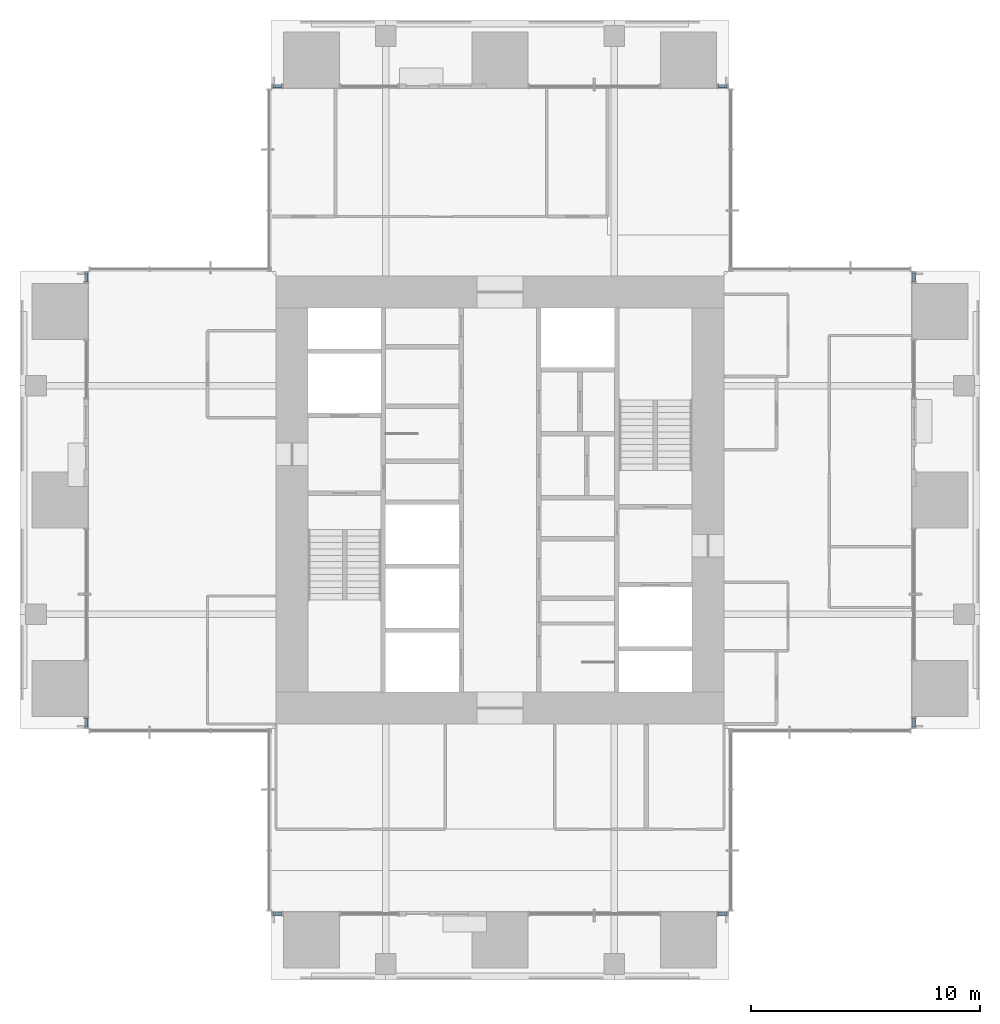
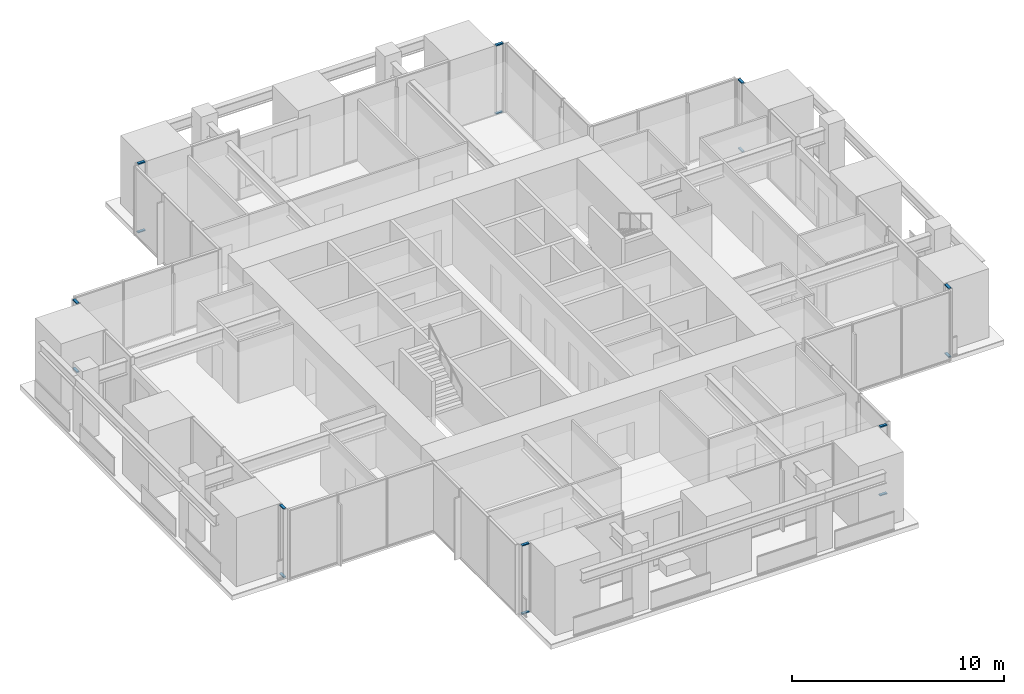
# One storey, part 6 of 17: 16 members, 8 elements without a shape of their own.
"""IFC4 building model written with IfcOpenShell, lengths in metres."""

from ifc_helpers import new_model, si_unit, direction, frame, origin, origin_2d, place, context, subcontext, project, spatial, rectangle, extrude, material, material_profile, profile_set, type_object, element, aggregate, save


model = new_model("IFC4")

# Units and contexts
model_context = context("Model", 3, precision=1e-05, world=origin(), true_north=direction((0.0, 1.0)))
body_context = subcontext(model_context, "Body", "Model", "MODEL_VIEW")
ifc_project = project(units=[si_unit("LENGTHUNIT", "METRE"), si_unit("AREAUNIT", "SQUARE_METRE"), si_unit("VOLUMEUNIT", "CUBIC_METRE"), si_unit("PLANEANGLEUNIT", "RADIAN"), si_unit("MASSUNIT", "GRAM", prefix="KILO")], contexts=[model_context])

# Site, building, storey
site_placement = place(None, origin())
site = spatial("IfcSite", under=ifc_project, at=site_placement, CompositionType="ELEMENT")
building_placement = place(site_placement, origin())
building = spatial("IfcBuilding", under=site, at=building_placement, Name="Svetlomir Tower", CompositionType="ELEMENT")
storey_placement = place(building_placement, frame((0.0, 0.0, 230.5)))
storey = spatial("IfcBuildingStorey", under=building, at=storey_placement, Name="L55", CompositionType="ELEMENT", Elevation=230.5)

# Curtain wall, members
ifc_material_1 = material(Name="Bronze anodised aluminium curtain wall", Category="aluminium")
curtain_wall_type = type_object("IfcCurtainWallType", Name="CURTAIN WALL CW1 TOWER OFFICE", PredefinedType="NOTDEFINED", material=ifc_material_1)
curtain_wall_1_placement = place(storey_placement, origin())
curtain_wall_1 = element("IfcCurtainWall", 1, at=curtain_wall_1_placement, inside=storey, type_object=curtain_wall_type, Name="Curtain wall CW1 L55", PredefinedType="NOTDEFINED")
ifc_material_2 = material(Name="Bronze anodised aluminium", Category="aluminium")
ifc_material_profile = material_profile(ifc_material_2, rectangle(XDim=0.139892578125, YDim=0.06494140625, at=origin_2d()), Name="AL 140x65")
ifc_profile_set = profile_set([ifc_material_profile], Name="Bronze anodised aluminium 6063-T6")
member_type = type_object("IfcMemberType", Name="CW1 TRANSOM 65x140", PredefinedType="USERDEFINED", material=ifc_profile_set)
member_1_placement = place(storey_placement, frame((11.06494140625, 2.89990234375, 0.032470703125), z_axis=(1.0, 0.0, 0.0), x_axis=(0.0, 1.0, 0.0)))
member_1 = element("IfcMember", 2, at=member_1_placement, type_object=member_type, Name="CW1 transom 1.1", ObjectType="TRANSOM", PredefinedType="USERDEFINED", context=body_context, shape_type="SweptSolid", body=[
    extrude(rectangle(XDim=0.139892578125, YDim=0.06494140625, at=origin_2d()), origin(), (0.0, 0.0, 1.0), 0.39501953125),
])
member_2_placement = place(storey_placement, frame((11.06494140625, 2.89990234375, 3.967529296875), z_axis=(1.0, 0.0, 0.0), x_axis=(0.0, 1.0, 0.0)))
member_2 = element("IfcMember", 3, at=member_2_placement, type_object=member_type, Name="CW1 transom 1.2", ObjectType="TRANSOM", PredefinedType="USERDEFINED", context=body_context, shape_type="SweptSolid", body=[
    extrude(rectangle(XDim=0.139892578125, YDim=0.06494140625, at=origin_2d()), origin(), (0.0, 0.0, 1.0), 0.39501953125),
])
aggregate(curtain_wall_1, [member_1, member_2])

curtain_wall_2_placement = place(storey_placement, origin())
curtain_wall_2 = element("IfcCurtainWall", 4, at=curtain_wall_2_placement, inside=storey, type_object=curtain_wall_type, Name="Curtain wall CW1 L55", PredefinedType="NOTDEFINED")
member_3_placement = place(storey_placement, frame((30.5400390625, 2.89990234375, 0.032470703125), z_axis=(1.0, 0.0, 0.0), x_axis=(0.0, 1.0, 0.0)))
member_3 = element("IfcMember", 5, at=member_3_placement, type_object=member_type, Name="CW1 transom 1.1", ObjectType="TRANSOM", PredefinedType="USERDEFINED", context=body_context, shape_type="SweptSolid", body=[
    extrude(rectangle(XDim=0.139892578125, YDim=0.06494140625, at=origin_2d()), origin(), (0.0, 0.0, 1.0), 0.39501953125),
])
member_4_placement = place(storey_placement, frame((30.5400390625, 2.89990234375, 3.967529296875), z_axis=(1.0, 0.0, 0.0), x_axis=(0.0, 1.0, 0.0)))
member_4 = element("IfcMember", 6, at=member_4_placement, type_object=member_type, Name="CW1 transom 1.2", ObjectType="TRANSOM", PredefinedType="USERDEFINED", context=body_context, shape_type="SweptSolid", body=[
    extrude(rectangle(XDim=0.139892578125, YDim=0.06494140625, at=origin_2d()), origin(), (0.0, 0.0, 1.0), 0.39501953125),
])
aggregate(curtain_wall_2, [member_3, member_4])

curtain_wall_3_placement = place(storey_placement, origin())
curtain_wall_3 = element("IfcCurtainWall", 7, at=curtain_wall_3_placement, inside=storey, type_object=curtain_wall_type, Name="Curtain wall CW1 L55", PredefinedType="NOTDEFINED")
member_5_placement = place(storey_placement, frame((39.10009765625, 11.06494140625, 0.032470703125), z_axis=(0.0, 1.0, 0.0), x_axis=(-1.0, 0.0, 0.0)))
member_5 = element("IfcMember", 8, at=member_5_placement, type_object=member_type, Name="CW1 transom 1.1", ObjectType="TRANSOM", PredefinedType="USERDEFINED", context=body_context, shape_type="SweptSolid", body=[
    extrude(rectangle(XDim=0.139892578125, YDim=0.06494140625, at=origin_2d()), origin(), (0.0, 0.0, 1.0), 0.39501953125),
])
member_6_placement = place(storey_placement, frame((39.10009765625, 11.06494140625, 3.967529296875), z_axis=(0.0, 1.0, 0.0), x_axis=(-1.0, 0.0, 0.0)))
member_6 = element("IfcMember", 9, at=member_6_placement, type_object=member_type, Name="CW1 transom 1.2", ObjectType="TRANSOM", PredefinedType="USERDEFINED", context=body_context, shape_type="SweptSolid", body=[
    extrude(rectangle(XDim=0.139892578125, YDim=0.06494140625, at=origin_2d()), origin(), (0.0, 0.0, 1.0), 0.39501953125),
])
aggregate(curtain_wall_3, [member_5, member_6])

curtain_wall_4_placement = place(storey_placement, origin())
curtain_wall_4 = element("IfcCurtainWall", 10, at=curtain_wall_4_placement, inside=storey, type_object=curtain_wall_type, Name="Curtain wall CW1 L55", PredefinedType="NOTDEFINED")
member_7_placement = place(storey_placement, frame((39.10009765625, 30.5400390625, 0.032470703125), z_axis=(0.0, 1.0, 0.0), x_axis=(-1.0, 0.0, 0.0)))
member_7 = element("IfcMember", 11, at=member_7_placement, type_object=member_type, Name="CW1 transom 1.1", ObjectType="TRANSOM", PredefinedType="USERDEFINED", context=body_context, shape_type="SweptSolid", body=[
    extrude(rectangle(XDim=0.139892578125, YDim=0.06494140625, at=origin_2d()), origin(), (0.0, 0.0, 1.0), 0.39501953125),
])
member_8_placement = place(storey_placement, frame((39.10009765625, 30.5400390625, 3.967529296875), z_axis=(0.0, 1.0, 0.0), x_axis=(-1.0, 0.0, 0.0)))
member_8 = element("IfcMember", 12, at=member_8_placement, type_object=member_type, Name="CW1 transom 1.2", ObjectType="TRANSOM", PredefinedType="USERDEFINED", context=body_context, shape_type="SweptSolid", body=[
    extrude(rectangle(XDim=0.139892578125, YDim=0.06494140625, at=origin_2d()), origin(), (0.0, 0.0, 1.0), 0.39501953125),
])
aggregate(curtain_wall_4, [member_7, member_8])

curtain_wall_5_placement = place(storey_placement, origin())
curtain_wall_5 = element("IfcCurtainWall", 13, at=curtain_wall_5_placement, inside=storey, type_object=curtain_wall_type, Name="Curtain wall CW1 L55", PredefinedType="NOTDEFINED")
member_9_placement = place(storey_placement, frame((30.93505859375, 39.10009765625, 0.032470703125), z_axis=(-1.0, 0.0, 0.0), x_axis=(0.0, -1.0, 0.0)))
member_9 = element("IfcMember", 14, at=member_9_placement, type_object=member_type, Name="CW1 transom 1.1", ObjectType="TRANSOM", PredefinedType="USERDEFINED", context=body_context, shape_type="SweptSolid", body=[
    extrude(rectangle(XDim=0.139892578125, YDim=0.06494140625, at=origin_2d()), origin(), (0.0, 0.0, 1.0), 0.39501953125),
])
member_10_placement = place(storey_placement, frame((30.93505859375, 39.10009765625, 3.967529296875), z_axis=(-1.0, 0.0, 0.0), x_axis=(0.0, -1.0, 0.0)))
member_10 = element("IfcMember", 15, at=member_10_placement, type_object=member_type, Name="CW1 transom 1.2", ObjectType="TRANSOM", PredefinedType="USERDEFINED", context=body_context, shape_type="SweptSolid", body=[
    extrude(rectangle(XDim=0.139892578125, YDim=0.06494140625, at=origin_2d()), origin(), (0.0, 0.0, 1.0), 0.39501953125),
])
aggregate(curtain_wall_5, [member_9, member_10])

curtain_wall_6_placement = place(storey_placement, origin())
curtain_wall_6 = element("IfcCurtainWall", 16, at=curtain_wall_6_placement, inside=storey, type_object=curtain_wall_type, Name="Curtain wall CW1 L55", PredefinedType="NOTDEFINED")
member_11_placement = place(storey_placement, frame((11.4599609375, 39.10009765625, 0.032470703125), z_axis=(-1.0, 0.0, 0.0), x_axis=(0.0, -1.0, 0.0)))
member_11 = element("IfcMember", 17, at=member_11_placement, type_object=member_type, Name="CW1 transom 1.1", ObjectType="TRANSOM", PredefinedType="USERDEFINED", context=body_context, shape_type="SweptSolid", body=[
    extrude(rectangle(XDim=0.139892578125, YDim=0.06494140625, at=origin_2d()), origin(), (0.0, 0.0, 1.0), 0.39501953125),
])
member_12_placement = place(storey_placement, frame((11.4599609375, 39.10009765625, 3.967529296875), z_axis=(-1.0, 0.0, 0.0), x_axis=(0.0, -1.0, 0.0)))
member_12 = element("IfcMember", 18, at=member_12_placement, type_object=member_type, Name="CW1 transom 1.2", ObjectType="TRANSOM", PredefinedType="USERDEFINED", context=body_context, shape_type="SweptSolid", body=[
    extrude(rectangle(XDim=0.139892578125, YDim=0.06494140625, at=origin_2d()), origin(), (0.0, 0.0, 1.0), 0.39501953125),
])
aggregate(curtain_wall_6, [member_11, member_12])

curtain_wall_7_placement = place(storey_placement, origin())
curtain_wall_7 = element("IfcCurtainWall", 19, at=curtain_wall_7_placement, inside=storey, type_object=curtain_wall_type, Name="Curtain wall CW1 L55", PredefinedType="NOTDEFINED")
member_13_placement = place(storey_placement, frame((2.89990234375, 30.93505859375, 0.032470703125), z_axis=(0.0, -1.0, 0.0), x_axis=(1.0, 0.0, 0.0)))
member_13 = element("IfcMember", 20, at=member_13_placement, type_object=member_type, Name="CW1 transom 1.1", ObjectType="TRANSOM", PredefinedType="USERDEFINED", context=body_context, shape_type="SweptSolid", body=[
    extrude(rectangle(XDim=0.139892578125, YDim=0.06494140625, at=origin_2d()), origin(), (0.0, 0.0, 1.0), 0.39501953125),
])
member_14_placement = place(storey_placement, frame((2.89990234375, 30.93505859375, 3.967529296875), z_axis=(0.0, -1.0, 0.0), x_axis=(1.0, 0.0, 0.0)))
member_14 = element("IfcMember", 21, at=member_14_placement, type_object=member_type, Name="CW1 transom 1.2", ObjectType="TRANSOM", PredefinedType="USERDEFINED", context=body_context, shape_type="SweptSolid", body=[
    extrude(rectangle(XDim=0.139892578125, YDim=0.06494140625, at=origin_2d()), origin(), (0.0, 0.0, 1.0), 0.39501953125),
])
aggregate(curtain_wall_7, [member_13, member_14])

curtain_wall_8_placement = place(storey_placement, origin())
curtain_wall_8 = element("IfcCurtainWall", 22, at=curtain_wall_8_placement, inside=storey, type_object=curtain_wall_type, Name="Curtain wall CW1 L55", PredefinedType="NOTDEFINED")
member_15_placement = place(storey_placement, frame((2.89990234375, 11.4599609375, 0.032470703125), z_axis=(0.0, -1.0, 0.0), x_axis=(1.0, 0.0, 0.0)))
member_15 = element("IfcMember", 23, at=member_15_placement, type_object=member_type, Name="CW1 transom 1.1", ObjectType="TRANSOM", PredefinedType="USERDEFINED", context=body_context, shape_type="SweptSolid", body=[
    extrude(rectangle(XDim=0.139892578125, YDim=0.06494140625, at=origin_2d()), origin(), (0.0, 0.0, 1.0), 0.39501953125),
])
member_16_placement = place(storey_placement, frame((2.89990234375, 11.4599609375, 3.967529296875), z_axis=(0.0, -1.0, 0.0), x_axis=(1.0, 0.0, 0.0)))
member_16 = element("IfcMember", 24, at=member_16_placement, type_object=member_type, Name="CW1 transom 1.2", ObjectType="TRANSOM", PredefinedType="USERDEFINED", context=body_context, shape_type="SweptSolid", body=[
    extrude(rectangle(XDim=0.139892578125, YDim=0.06494140625, at=origin_2d()), origin(), (0.0, 0.0, 1.0), 0.39501953125),
])
aggregate(curtain_wall_8, [member_15, member_16])

save(model, "model.ifc")
